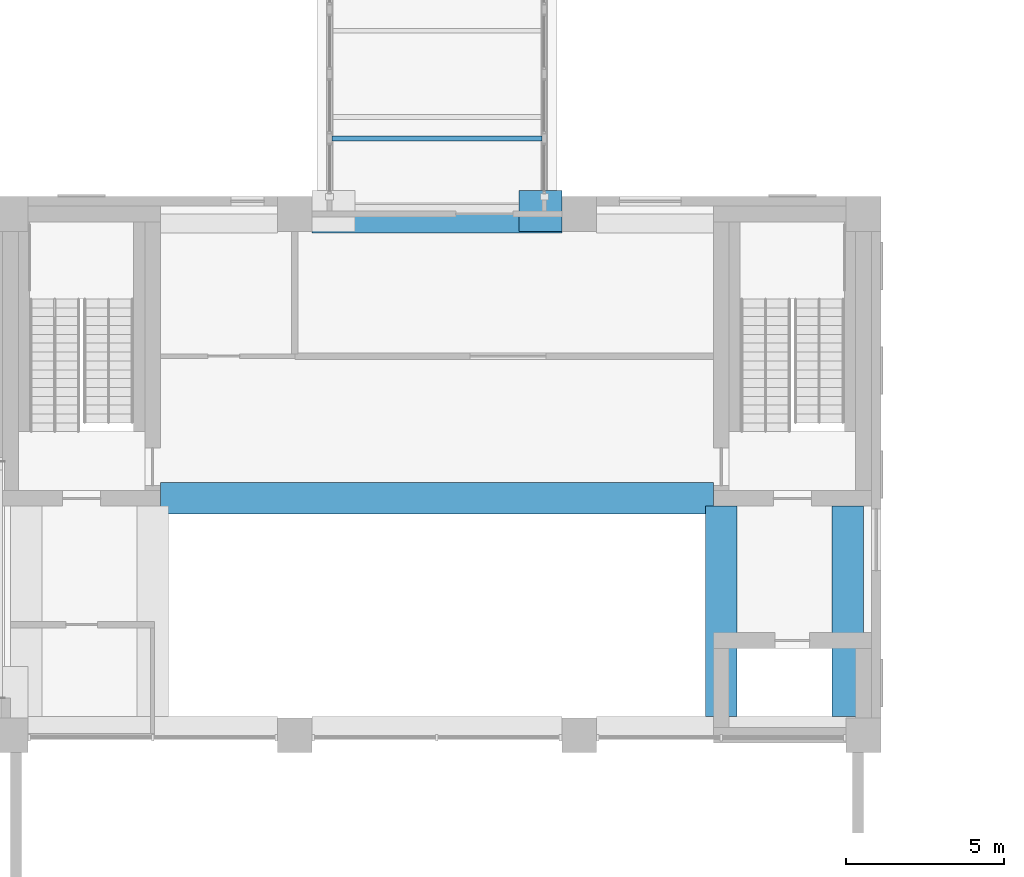
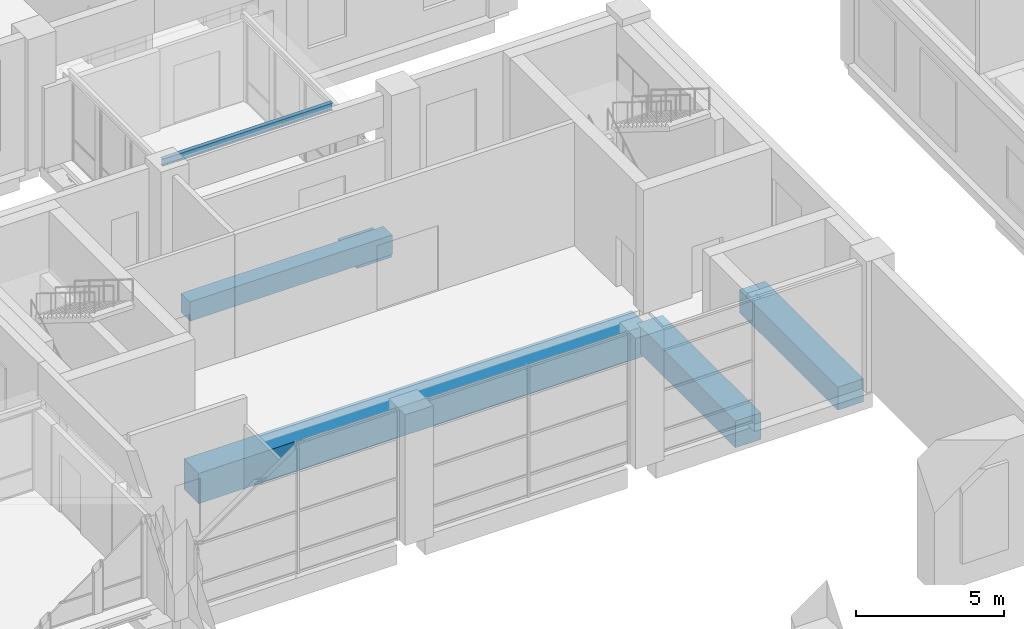
# One storey, part 7 of 52: 5 beams, 1 member.
"""IFC4 building model written with IfcOpenShell, lengths in metres."""

from ifc_helpers import new_model, si_unit, direction, frame, origin, origin_2d, place, context, subcontext, project, spatial, rectangle, i_section, extrude, material, material_profile, profile_set, type_object, element, save


model = new_model("IFC4")

# Units and contexts
model_context = context("Model", 3, precision=1e-05, world=origin(), true_north=direction((0.0, 1.0)))
body_context = subcontext(model_context, "Body", "Model", "MODEL_VIEW")
ifc_project = project(units=[si_unit("LENGTHUNIT", "METRE"), si_unit("AREAUNIT", "SQUARE_METRE"), si_unit("VOLUMEUNIT", "CUBIC_METRE"), si_unit("PLANEANGLEUNIT", "RADIAN"), si_unit("MASSUNIT", "GRAM", prefix="KILO")], contexts=[model_context])

# Site, building, storey
site_placement = place(None, origin())
site = spatial("IfcSite", under=ifc_project, at=site_placement, CompositionType="ELEMENT")
building_placement = place(site_placement, origin())
building = spatial("IfcBuilding", under=site, at=building_placement, Name="Aurelan Courthouse", CompositionType="ELEMENT")
storey_placement = place(building_placement, frame((0.0, 0.0, 6.60009765625)))
storey = spatial("IfcBuildingStorey", under=building, at=storey_placement, Name="L01", CompositionType="ELEMENT", Elevation=6.60009765625)

# Member
ifc_material_1 = material(Name="Concrete C50", Category="concrete")
member_type = type_object("IfcMemberType", Name="Corbel 1300 x 1350 x 450", PredefinedType="USERDEFINED", material=ifc_material_1)
member_placement = place(storey_placement, frame((52.77490234375, 28.60009765625, -1.25), z_axis=(0.0, 0.0, 1.0), x_axis=(1.0, 0.0, 0.0)))
element("IfcMember", 1, at=member_placement, inside=storey, type_object=member_type, Name="Corbel CO-11", ObjectType="CORBEL", PredefinedType="USERDEFINED", context=body_context, shape_type="SweptSolid", body=[
    extrude(rectangle(XDim=1.35009765625, YDim=1.300048828125, at=origin_2d()), origin(), (0.0, 0.0, 1.0), 0.449951171875),
])

# Beams
ifc_material_profile_1 = material_profile(ifc_material_1, rectangle(XDim=1.0, YDim=0.949951171875, at=origin_2d()), Name="RC 1000 x 950")
ifc_profile_set_1 = profile_set([ifc_material_profile_1], Name="Concrete C50")
beam_type_1 = type_object("IfcBeamType", Name="PT girder 1000 x 950", PredefinedType="BEAM", material=ifc_profile_set_1)
beam_1_placement = place(storey_placement, frame((62.5, 12.60009765625, -0.775146484375), z_axis=(0.0, 1.0, 0.0), x_axis=(-1.0, 0.0, 0.0)))
element("IfcBeam", 2, at=beam_1_placement, inside=storey, type_object=beam_type_1, Name="Girder GB-8BC-E", PredefinedType="BEAM", context=body_context, shape_type="SweptSolid", body=[
    extrude(rectangle(XDim=1.0, YDim=0.949951171875, at=origin_2d()), origin(), (0.0, 0.0, 1.0), 6.64990234375),
])
ifc_material_2 = material(Name="Steel S355", Category="steel")
ifc_material_profile_2 = material_profile(ifc_material_2, i_section(OverallWidth=0.14990234375, OverallDepth=0.300048828125, WebThickness=0.007080078125, FlangeThickness=0.0107421875, FilletRadius=0.014892578125, at=origin_2d()), Name="IPE 300")
ifc_profile_set_2 = profile_set([ifc_material_profile_2], Name="Steel S355")
beam_type_2 = type_object("IfcBeamType", Name="Passage cross beam IPE 300", PredefinedType="BEAM", material=ifc_profile_set_2)
beam_2_placement = place(storey_placement, frame((46.175048828125, 30.893798828125, 3.449951171875), z_axis=(1.0, 0.0, 0.0), x_axis=(0.0, 1.0, 0.0)))
element("IfcBeam", 3, at=beam_2_placement, inside=storey, type_object=beam_type_2, Name="Passage cross beam BR3-BX", PredefinedType="BEAM", context=body_context, shape_type="SweptSolid", body=[
    extrude(i_section(OverallWidth=0.14990234375, OverallDepth=0.300048828125, WebThickness=0.007080078125, FlangeThickness=0.0107421875, FilletRadius=0.014892578125, at=origin_2d()), origin(), (0.0, 0.0, 1.0), 6.64990234375),
])
ifc_material_profile_3 = material_profile(ifc_material_1, rectangle(XDim=0.60009765625, YDim=0.800048828125, at=origin_2d()), Name="RC 600 x 800")
ifc_profile_set_3 = profile_set([ifc_material_profile_3], Name="Concrete C50")
beam_type_3 = type_object("IfcBeamType", Name="RC spandrel beam 600 x 800", PredefinedType="SPANDREL", material=ifc_profile_set_3)
beam_3_placement = place(storey_placement, frame((45.550048828125, 28.199951171875, -0.7001953125), z_axis=(1.0, 0.0, 0.0), x_axis=(0.0, 1.0, 0.0)))
element("IfcBeam", 4, at=beam_3_placement, inside=storey, type_object=beam_type_3, Name="Spandrel beam SB-C-6-7", PredefinedType="SPANDREL", context=body_context, shape_type="SweptSolid", body=[
    extrude(rectangle(XDim=0.60009765625, YDim=0.800048828125, at=origin_2d()), origin(), (0.0, 0.0, 1.0), 7.89990234375),
])
ifc_material_3 = material(Name="Concrete C40", Category="concrete")
ifc_material_profile_4 = material_profile(ifc_material_3, rectangle(XDim=1.0, YDim=1.10009765625, at=origin_2d()), Name="RC 1000 x 1100")
ifc_profile_set_4 = profile_set([ifc_material_profile_4], Name="Concrete C40")
beam_type_4 = type_object("IfcBeamType", Name="RC trimmer beam 1000 x 1100", PredefinedType="JOIST", material=ifc_profile_set_4)
beam_4_placement = place(storey_placement, frame((58.5, 12.60009765625, -0.85009765625), z_axis=(0.0, 1.0, 0.0), x_axis=(-1.0, 0.0, 0.0)))
element("IfcBeam", 5, at=beam_4_placement, inside=storey, type_object=beam_type_4, Name="Trimmer beam TB-L01-002", PredefinedType="JOIST", context=body_context, shape_type="SweptSolid", body=[
    extrude(rectangle(XDim=1.0, YDim=1.10009765625, at=origin_2d()), origin(), (0.0, 0.0, 1.0), 6.64990234375),
])
ifc_material_profile_5 = material_profile(ifc_material_3, rectangle(XDim=1.0, YDim=1.25, at=origin_2d()), Name="RC 1000 x 1250")
ifc_profile_set_5 = profile_set([ifc_material_profile_5], Name="Concrete C40")
beam_type_5 = type_object("IfcBeamType", Name="RC trimmer beam 1000 x 1250", PredefinedType="JOIST", material=ifc_profile_set_5)
beam_5_placement = place(storey_placement, frame((40.75, 19.5, -0.925048828125), z_axis=(1.0, 0.0, 0.0), x_axis=(0.0, 1.0, 0.0)))
element("IfcBeam", 6, at=beam_5_placement, inside=storey, type_object=beam_type_5, Name="Trimmer beam TB-L01-003", PredefinedType="JOIST", context=body_context, shape_type="SweptSolid", body=[
    extrude(rectangle(XDim=1.0, YDim=1.25, at=origin_2d()), origin(), (0.0, 0.0, 1.0), 17.5),
])

save(model, "model.ifc")
